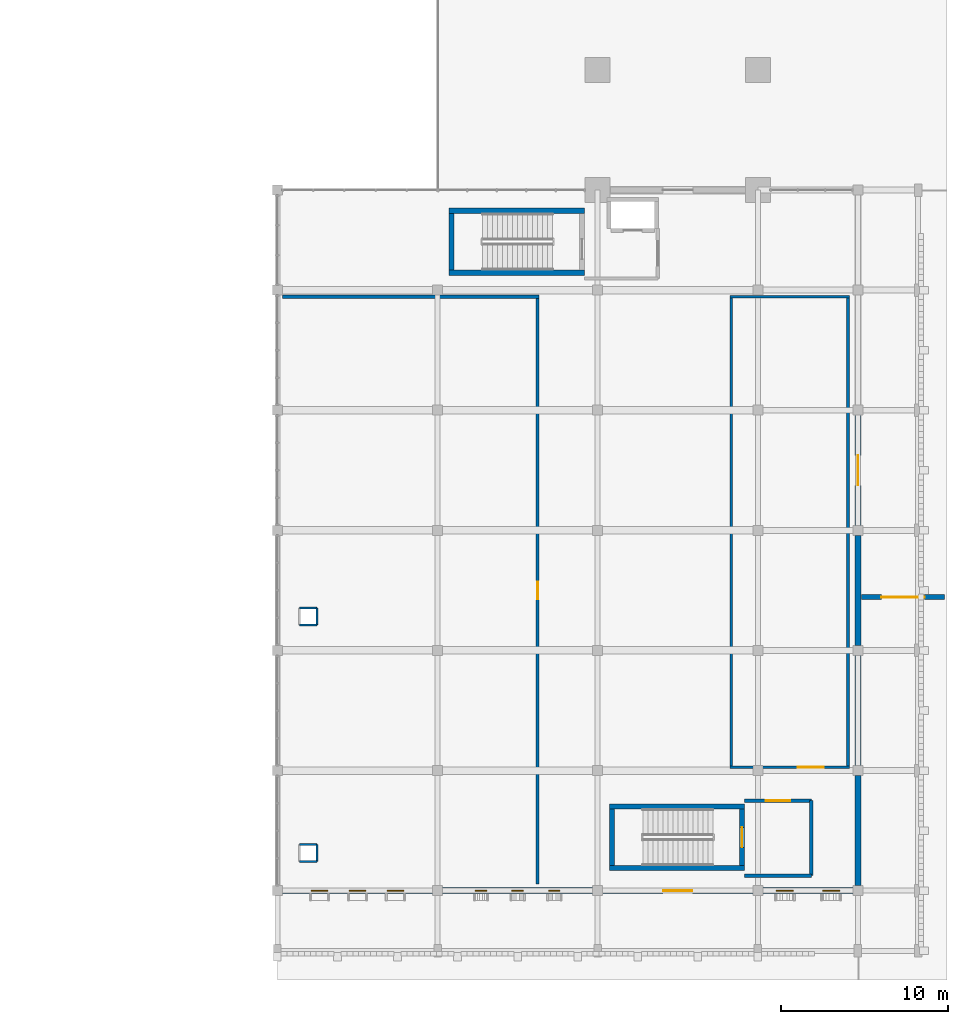
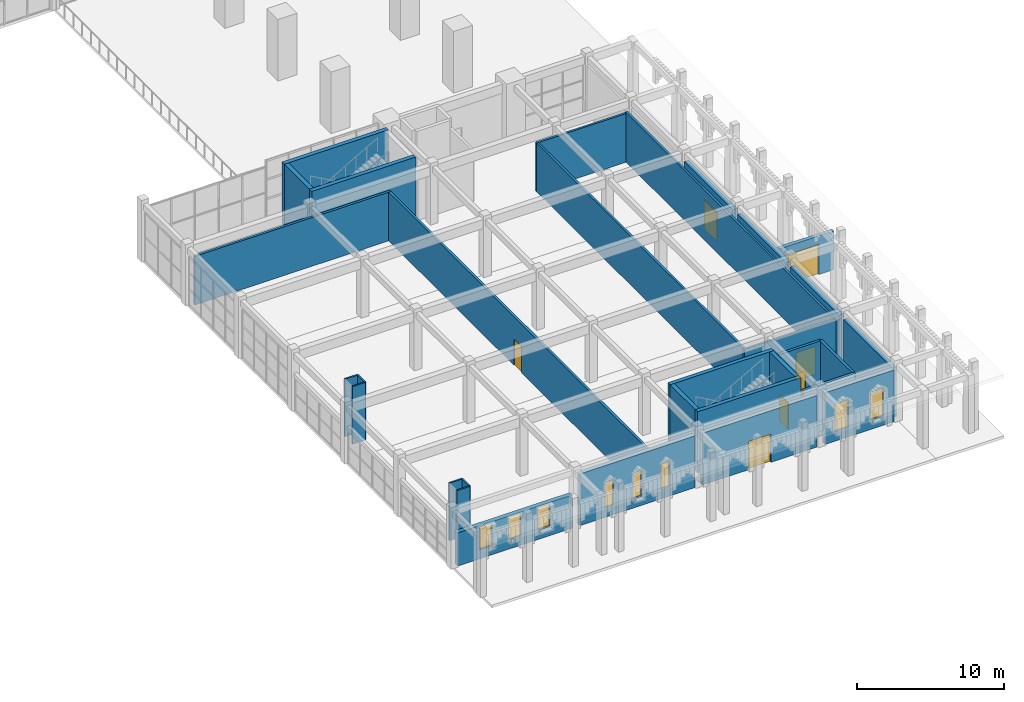
# One storey, part 42 of 72: 31 walls, 8 windows, 7 doors, 15 openings.
"""IFC4 building model written with IfcOpenShell, lengths in metres."""

from ifc_helpers import new_model, si_unit, direction, frame, frame_2d, origin, place, context, subcontext, project, spatial, rectangle, extrude, material, layer, layer_set, type_object, element, fill, save


model = new_model("IFC4")

# Units and contexts
model_context = context("Model", 3, precision=1e-05, world=origin(), true_north=direction((0.0, 1.0)))
body_context = subcontext(model_context, "Body", "Model", "MODEL_VIEW")
ifc_project = project(units=[si_unit("LENGTHUNIT", "METRE"), si_unit("AREAUNIT", "SQUARE_METRE"), si_unit("VOLUMEUNIT", "CUBIC_METRE"), si_unit("PLANEANGLEUNIT", "RADIAN"), si_unit("MASSUNIT", "GRAM", prefix="KILO")], contexts=[model_context])

# Site, building, storey
site_placement = place(None, origin())
site = spatial("IfcSite", under=ifc_project, at=site_placement, CompositionType="ELEMENT")
building_placement = place(site_placement, origin())
building = spatial("IfcBuilding", under=site, at=building_placement, Name="Nzembalo Square Collegiate School", CompositionType="ELEMENT")
storey_placement = place(building_placement, origin())
storey = spatial("IfcBuildingStorey", under=building, at=storey_placement, Name="L00", CompositionType="ELEMENT", Elevation=0.0)

# Walls
ifc_material_1 = material(Name="Concrete C40/50", Category="concrete")
ifc_layer_1 = layer(ifc_material_1, 0.320068359375, Name="Concrete C40/50")
ifc_layer_set_1 = layer_set([ifc_layer_1], Name="Concrete C40/50")
wall_type_1 = type_object("IfcWallType", Name="SW01", PredefinedType="SHEAR", material=ifc_layer_set_1)
wall_1_placement = place(storey_placement, frame((141.239990234375, 45.60009765625, 0.0), z_axis=(0.0, 0.0, 1.0), x_axis=(0.0, 1.0, 0.0)))
element("IfcWall", 1, at=wall_1_placement, inside=storey, type_object=wall_type_1, Name="Core C5 stair shear wall W L00", PredefinedType="SHEAR", context=body_context, shape_type="SweptSolid", body=[
    extrude(rectangle(XDim=3.39990234375, YDim=0.320068359375, at=frame_2d((1.699951171875, 0.0))), origin(), (0.0, 0.0, 1.0), 5.10009765625),
])
for number, where, z_axis, x_axis, name in (
    (2, (141.080078125, 45.43994140625, 0.0), (0.0, 0.0, 1.0), (1.0, 0.0, 0.0), "Core C5 stair shear wall S L00"),
    (3, (141.080078125, 49.159912109375, 0.0), (0.0, 0.0, 1.0), (1.0, 0.0, 0.0), "Core C5 stair shear wall N L00"),
):
    element("IfcWall", number, at=place(storey_placement, frame(where, z_axis=z_axis, x_axis=x_axis)), inside=storey, type_object=wall_type_1, Name=name, PredefinedType="SHEAR", context=body_context, shape_type="SweptSolid", body=[
        extrude(rectangle(XDim=8.139892578125, YDim=0.320068359375, at=frame_2d((4.06982421875, 0.0))), origin(), (0.0, 0.0, 1.0), 5.10009765625),
    ])
ifc_material_2 = material(Name="Concrete C40/50", Category="concrete")
ifc_layer_2 = layer(ifc_material_2, 0.300048828125, Name="Concrete C40/50")
ifc_layer_set_2 = layer_set([ifc_layer_2], Name="Concrete C40/50")
wall_type_2 = type_object("IfcWallType", Name="SW02", PredefinedType="SHEAR", material=ifc_layer_set_2)
wall_2_placement = place(storey_placement, frame((150.85009765625, 9.89990234375, 0.0), z_axis=(0.0, 0.0, 1.0), x_axis=(0.0, 1.0, 0.0)))
element("IfcWall", 4, at=wall_2_placement, inside=storey, type_object=wall_type_2, Name="Core C6 stair shear wall W L00", PredefinedType="SHEAR", context=body_context, shape_type="SweptSolid", body=[
    extrude(rectangle(XDim=3.400146484375, YDim=0.300048828125, at=frame_2d((1.7001953125, 0.0))), origin(), (0.0, 0.0, 1.0), 5.10009765625),
])
for number, where, z_axis, x_axis, name in (
    (5, (150.699951171875, 9.75, 0.0), (0.0, 0.0, 1.0), (1.0, 0.0, 0.0), "Core C6 stair shear wall S L00"),
    (6, (150.699951171875, 13.449951171875, 0.0), (0.0, 0.0, 1.0), (1.0, 0.0, 0.0), "Core C6 stair shear wall N L00"),
):
    element("IfcWall", number, at=place(storey_placement, frame(where, z_axis=z_axis, x_axis=x_axis)), inside=storey, type_object=wall_type_2, Name=name, PredefinedType="SHEAR", context=body_context, shape_type="SweptSolid", body=[
        extrude(rectangle(XDim=8.10009765625, YDim=0.300048828125, at=frame_2d((4.050048828125, 0.0))), origin(), (0.0, 0.0, 1.0), 5.10009765625),
    ])

# Wall, opening, door
wall_3_placement = place(storey_placement, frame((158.64990234375, 9.89990234375, 0.0), z_axis=(0.0, 0.0, 1.0), x_axis=(0.0, 1.0, 0.0)))
wall_3 = element("IfcWall", 7, at=wall_3_placement, inside=storey, type_object=wall_type_2, Name="Core C6 stair shear wall E L00", PredefinedType="SHEAR", context=body_context, shape_type="SweptSolid", body=[
    extrude(rectangle(XDim=3.400146484375, YDim=0.300048828125, at=frame_2d((1.7001953125, 0.0))), origin(), (0.0, 0.0, 1.0), 5.10009765625),
])
opening_1_placement = place(wall_3_placement, frame((1.10009765625, 0.0, 0.0)))
opening_1 = element("IfcOpeningElement", 8, at=opening_1_placement, cuts=wall_3, Name="Opening FD-058", PredefinedType="OPENING", context=body_context, shape_type="SweptSolid", body=[
    extrude(rectangle(XDim=1.199951171875, YDim=2.199951171875, at=frame_2d((0.60009765625, 1.10009765625))), frame((0.0, 0.16015625, 0.0), z_axis=(0.0, -1.0, 0.0), x_axis=(1.0, 0.0, 0.0)), (0.0, 0.0, 1.0), 0.320068359375),
])
ifc_material_3 = material(Name="Fire-rated steel acoustic door", Category="steel")
door_type_1 = type_object("IfcDoorType", Name="FD01", OperationType="NOTDEFINED", PredefinedType="DOOR", material=ifc_material_3)
door_1_placement = place(opening_1_placement, frame((1.199951171875, 0.0, 0.0), z_axis=(0.0, 0.0, 1.0), x_axis=(-1.0, 0.0, 0.0)))
door_1 = element("IfcDoor", 9, at=door_1_placement, inside=storey, type_object=door_type_1, Name="Stair fire door FD-058", OperationType="SINGLE_SWING_RIGHT", OverallHeight=2.199951171875, OverallWidth=1.199951171875, PredefinedType="DOOR", context=body_context, shape_type="SweptSolid", body=[
    extrude(rectangle(XDim=1.199951171875, YDim=2.199951171875, at=frame_2d((0.60009765625, 1.10009765625))), frame((0.0, 0.02490234375, 0.0), z_axis=(0.0, -1.0, 0.0), x_axis=(1.0, 0.0, 0.0)), (0.0, 0.0, 1.0), 0.050048828125),
])
fill(opening_1, door_1)

# Wall
ifc_material_4 = material(Name="Concrete C35/45", Category="concrete")
ifc_layer_3 = layer(ifc_material_4, 0.360107421875, Name="Concrete C35/45")
ifc_layer_set_3 = layer_set([ifc_layer_3], Name="Concrete C35/45")
wall_type_3 = type_object("IfcWallType", Name="W01", PredefinedType="SOLIDWALL", material=ifc_layer_set_3)
wall_4_placement = place(storey_placement, frame((165.60009765625, 15.902099609375, 0.0), z_axis=(0.0, 0.0, 1.0), x_axis=(0.0, 1.0, 0.0)))
element("IfcWall", 10, at=wall_4_placement, inside=storey, type_object=wall_type_3, Name="Exterior wall W01 L00", PredefinedType="SOLIDWALL", context=body_context, shape_type="SweptSolid", body=[
    extrude(rectangle(XDim=6.595947265625, YDim=0.360107421875, at=frame_2d((3.2978515625, 0.0))), origin(), (0.0, 0.0, 1.0), 4.134033203125),
])

# Wall, opening, door
wall_5_placement = place(storey_placement, frame((165.60009765625, 30.302001953125, 0.0), z_axis=(0.0, 0.0, 1.0), x_axis=(0.0, 1.0, 0.0)))
wall_5 = element("IfcWall", 11, at=wall_5_placement, inside=storey, type_object=wall_type_3, Name="Exterior wall W01 L00", PredefinedType="SOLIDWALL", context=body_context, shape_type="SweptSolid", body=[
    extrude(rectangle(XDim=6.595947265625, YDim=0.360107421875, at=frame_2d((3.2978515625, 0.0))), origin(), (0.0, 0.0, 1.0), 4.134033203125),
])
opening_2_placement = place(wall_5_placement, frame((2.39794921875, 0.0, 0.0)))
opening_2 = element("IfcOpeningElement", 12, at=opening_2_placement, cuts=wall_5, Name="Opening E13", PredefinedType="OPENING", context=body_context, shape_type="SweptSolid", body=[
    extrude(rectangle(XDim=1.800048828125, YDim=2.39990234375, at=frame_2d((0.89990234375, 1.199951171875))), frame((0.0, 0.18994140625, 0.0), z_axis=(0.0, -1.0, 0.0), x_axis=(1.0, 0.0, 0.0)), (0.0, 0.0, 1.0), 0.380126953125),
])
ifc_material_5 = material(Name="Powder-coated steel and safety glass", Category="steel")
door_type_2 = type_object("IfcDoorType", Name="ED01", OperationType="DOUBLE_DOOR_SINGLE_SWING", PredefinedType="DOOR", material=ifc_material_5)
door_2_placement = place(opening_2_placement, frame((1.800048828125, 0.0, 0.0), z_axis=(0.0, 0.0, 1.0), x_axis=(-1.0, 0.0, 0.0)))
door_2 = element("IfcDoor", 13, at=door_2_placement, inside=storey, type_object=door_type_2, Name="Exterior door E13", OperationType="DOUBLE_DOOR_SINGLE_SWING", OverallHeight=2.39990234375, OverallWidth=1.800048828125, PredefinedType="DOOR", context=body_context, shape_type="SweptSolid", body=[
    extrude(rectangle(XDim=1.800048828125, YDim=2.39990234375, at=frame_2d((0.89990234375, 1.199951171875))), frame((0.0, 0.02490234375, 0.0), z_axis=(0.0, -1.0, 0.0), x_axis=(1.0, 0.0, 0.0)), (0.0, 0.0, 1.0), 0.050048828125),
])
fill(opening_2, door_2)

# Wall, openings, windows
wall_6_placement = place(storey_placement, frame((140.701904296875, 8.39990234375, 0.0), z_axis=(0.0, 0.0, 1.0), x_axis=(1.0, 0.0, 0.0)))
wall_6 = element("IfcWall", 14, at=wall_6_placement, inside=storey, type_object=wall_type_3, Name="Exterior wall W01 L00", PredefinedType="SOLIDWALL", context=body_context, shape_type="SweptSolid", body=[
    extrude(rectangle(XDim=8.99609375, YDim=0.360107421875, at=frame_2d((4.498046875, 0.0))), origin(), (0.0, 0.0, 1.0), 4.283935546875),
])
opening_3_placement = place(wall_6_placement, frame((1.958984375, 0.0, 0.75)))
opening_3 = element("IfcOpeningElement", 15, at=opening_3_placement, cuts=wall_6, Name="Opening WN-L00-058", PredefinedType="OPENING", context=body_context, shape_type="SweptSolid", body=[
    extrude(rectangle(XDim=0.679931640625, YDim=2.159912109375, at=frame_2d((0.33984375, 1.080078125))), frame((0.0, 0.18994140625, 0.0), z_axis=(0.0, -1.0, 0.0), x_axis=(1.0, 0.0, 0.0)), (0.0, 0.0, 1.0), 0.380126953125),
])
opening_4_placement = place(wall_6_placement, frame((4.157958984375, 0.0, 0.75)))
opening_4 = element("IfcOpeningElement", 16, at=opening_4_placement, cuts=wall_6, Name="Opening WN-L00-059", PredefinedType="OPENING", context=body_context, shape_type="SweptSolid", body=[
    extrude(rectangle(XDim=0.679931640625, YDim=2.159912109375, at=frame_2d((0.33984375, 1.080078125))), frame((0.0, 0.18994140625, 0.0), z_axis=(0.0, -1.0, 0.0), x_axis=(1.0, 0.0, 0.0)), (0.0, 0.0, 1.0), 0.380126953125),
])
opening_5_placement = place(wall_6_placement, frame((6.35693359375, 0.0, 0.75)))
opening_5 = element("IfcOpeningElement", 17, at=opening_5_placement, cuts=wall_6, Name="Opening WN-L00-060", PredefinedType="OPENING", context=body_context, shape_type="SweptSolid", body=[
    extrude(rectangle(XDim=0.679931640625, YDim=2.159912109375, at=frame_2d((0.33984375, 1.080078125))), frame((0.0, 0.18994140625, 0.0), z_axis=(0.0, -1.0, 0.0), x_axis=(1.0, 0.0, 0.0)), (0.0, 0.0, 1.0), 0.380126953125),
])
ifc_material_6 = material(Name="Powder-coated aluminium and low-E double glazing", Category="aluminium")
window_type_1 = type_object("IfcWindowType", Name="WN59", PartitioningType="SINGLE_PANEL", PredefinedType="WINDOW", material=ifc_material_6)
window_1_placement = place(opening_3_placement, origin())
window_1 = element("IfcWindow", 18, at=window_1_placement, inside=storey, type_object=window_type_1, Name="Lancet window WN-L00-058", OverallHeight=2.159912109375, OverallWidth=0.679931640625, PartitioningType="SINGLE_PANEL", PredefinedType="WINDOW", context=body_context, shape_type="SweptSolid", body=[
    extrude(rectangle(XDim=0.679931640625, YDim=2.159912109375, at=frame_2d((0.33984375, 1.080078125))), frame((0.0, 0.030029296875, 0.0), z_axis=(0.0, -1.0, 0.0), x_axis=(1.0, 0.0, 0.0)), (0.0, 0.0, 1.0), 0.06005859375),
])
fill(opening_3, window_1)
window_2_placement = place(opening_4_placement, origin())
window_2 = element("IfcWindow", 19, at=window_2_placement, inside=storey, type_object=window_type_1, Name="Lancet window WN-L00-059", OverallHeight=2.159912109375, OverallWidth=0.679931640625, PartitioningType="SINGLE_PANEL", PredefinedType="WINDOW", context=body_context, shape_type="SweptSolid", body=[
    extrude(rectangle(XDim=0.679931640625, YDim=2.159912109375, at=frame_2d((0.33984375, 1.080078125))), frame((0.0, 0.030029296875, 0.0), z_axis=(0.0, -1.0, 0.0), x_axis=(1.0, 0.0, 0.0)), (0.0, 0.0, 1.0), 0.06005859375),
])
fill(opening_4, window_2)
window_3_placement = place(opening_5_placement, origin())
window_3 = element("IfcWindow", 20, at=window_3_placement, inside=storey, type_object=window_type_1, Name="Lancet window WN-L00-060", OverallHeight=2.159912109375, OverallWidth=0.679931640625, PartitioningType="SINGLE_PANEL", PredefinedType="WINDOW", context=body_context, shape_type="SweptSolid", body=[
    extrude(rectangle(XDim=0.679931640625, YDim=2.159912109375, at=frame_2d((0.33984375, 1.080078125))), frame((0.0, 0.030029296875, 0.0), z_axis=(0.0, -1.0, 0.0), x_axis=(1.0, 0.0, 0.0)), (0.0, 0.0, 1.0), 0.06005859375),
])
fill(opening_5, window_3)

wall_7_placement = place(storey_placement, frame((159.902099609375, 8.39990234375, 0.0), z_axis=(0.0, 0.0, 1.0), x_axis=(1.0, 0.0, 0.0)))
wall_7 = element("IfcWall", 21, at=wall_7_placement, inside=storey, type_object=wall_type_3, Name="Exterior wall W01 L00", PredefinedType="SOLIDWALL", context=body_context, shape_type="SweptSolid", body=[
    extrude(rectangle(XDim=5.39599609375, YDim=0.360107421875, at=frame_2d((2.697998046875, 0.0))), origin(), (0.0, 0.0, 1.0), 4.283935546875),
])
opening_6_placement = place(wall_7_placement, frame((0.803955078125, 0.0, 0.75)))
opening_6 = element("IfcOpeningElement", 22, at=opening_6_placement, cuts=wall_7, Name="Opening WN-L00-061", PredefinedType="OPENING", context=body_context, shape_type="SweptSolid", body=[
    extrude(rectangle(XDim=1.02001953125, YDim=2.340087890625, at=frame_2d((0.510009765625, 1.169921875))), frame((0.0, 0.18994140625, 0.0), z_axis=(0.0, -1.0, 0.0), x_axis=(1.0, 0.0, 0.0)), (0.0, 0.0, 1.0), 0.380126953125),
])
opening_7_placement = place(wall_7_placement, frame((3.572021484375, 0.0, 0.75)))
opening_7 = element("IfcOpeningElement", 23, at=opening_7_placement, cuts=wall_7, Name="Opening WN-L00-062", PredefinedType="OPENING", context=body_context, shape_type="SweptSolid", body=[
    extrude(rectangle(XDim=1.02001953125, YDim=2.340087890625, at=frame_2d((0.510009765625, 1.169921875))), frame((0.0, 0.18994140625, 0.0), z_axis=(0.0, -1.0, 0.0), x_axis=(1.0, 0.0, 0.0)), (0.0, 0.0, 1.0), 0.380126953125),
])
ifc_material_7 = material(Name="Powder-coated aluminium and low-E double glazing", Category="aluminium")
window_type_2 = type_object("IfcWindowType", Name="WN62", PartitioningType="SINGLE_PANEL", PredefinedType="WINDOW", material=ifc_material_7)
window_4_placement = place(opening_6_placement, origin())
window_4 = element("IfcWindow", 24, at=window_4_placement, inside=storey, type_object=window_type_2, Name="Lancet window WN-L00-061", OverallHeight=2.340087890625, OverallWidth=1.02001953125, PartitioningType="SINGLE_PANEL", PredefinedType="WINDOW", context=body_context, shape_type="SweptSolid", body=[
    extrude(rectangle(XDim=1.02001953125, YDim=2.340087890625, at=frame_2d((0.510009765625, 1.169921875))), frame((0.0, 0.030029296875, 0.0), z_axis=(0.0, -1.0, 0.0), x_axis=(1.0, 0.0, 0.0)), (0.0, 0.0, 1.0), 0.06005859375),
])
fill(opening_6, window_4)
window_5_placement = place(opening_7_placement, origin())
window_5 = element("IfcWindow", 25, at=window_5_placement, inside=storey, type_object=window_type_2, Name="Lancet window WN-L00-062", OverallHeight=2.340087890625, OverallWidth=1.02001953125, PartitioningType="SINGLE_PANEL", PredefinedType="WINDOW", context=body_context, shape_type="SweptSolid", body=[
    extrude(rectangle(XDim=1.02001953125, YDim=2.340087890625, at=frame_2d((0.510009765625, 1.169921875))), frame((0.0, 0.030029296875, 0.0), z_axis=(0.0, -1.0, 0.0), x_axis=(1.0, 0.0, 0.0)), (0.0, 0.0, 1.0), 0.06005859375),
])
fill(opening_7, window_5)

# Walls
ifc_material_8 = material(Name="Concrete C35/45", Category="concrete")
ifc_layer_4 = layer(ifc_material_8, 0.340087890625, Name="Concrete C35/45")
ifc_layer_set_4 = layer_set([ifc_layer_4], Name="Concrete C35/45")
wall_type_4 = type_object("IfcWallType", Name="W02", PredefinedType="SOLIDWALL", material=ifc_layer_set_4)
wall_8_placement = place(storey_placement, frame((165.60009765625, 8.701904296875, 0.0), z_axis=(0.0, 0.0, 1.0), x_axis=(0.0, 1.0, 0.0)))
element("IfcWall", 26, at=wall_8_placement, inside=storey, type_object=wall_type_4, Name="Exterior wall W02 L00", PredefinedType="SOLIDWALL", context=body_context, shape_type="SweptSolid", body=[
    extrude(rectangle(XDim=6.59619140625, YDim=0.340087890625, at=frame_2d((3.298095703125, 0.0))), origin(), (0.0, 0.0, 1.0), 4.134033203125),
])
wall_9_placement = place(storey_placement, frame((165.60009765625, 23.10205078125, 0.0), z_axis=(0.0, 0.0, 1.0), x_axis=(0.0, 1.0, 0.0)))
element("IfcWall", 27, at=wall_9_placement, inside=storey, type_object=wall_type_4, Name="Exterior wall W02 L00", PredefinedType="SOLIDWALL", context=body_context, shape_type="SweptSolid", body=[
    extrude(rectangle(XDim=6.595947265625, YDim=0.340087890625, at=frame_2d((3.2978515625, 0.0))), origin(), (0.0, 0.0, 1.0), 4.134033203125),
])

# Wall, openings, windows
wall_10_placement = place(storey_placement, frame((131.10205078125, 8.39990234375, 0.0), z_axis=(0.0, 0.0, 1.0), x_axis=(1.0, 0.0, 0.0)))
wall_10 = element("IfcWall", 28, at=wall_10_placement, inside=storey, type_object=wall_type_4, Name="Exterior wall W02 L00", PredefinedType="SOLIDWALL", context=body_context, shape_type="SweptSolid", body=[
    extrude(rectangle(XDim=8.995849609375, YDim=0.340087890625, at=frame_2d((4.498046875, 0.0))), origin(), (0.0, 0.0, 1.0), 2.743896484375),
])
opening_8_placement = place(wall_10_placement, frame((1.73388671875, 0.0, 0.75)))
opening_8 = element("IfcOpeningElement", 29, at=opening_8_placement, cuts=wall_10, Name="Opening WN-L00-041", PredefinedType="OPENING", context=body_context, shape_type="SweptSolid", body=[
    extrude(rectangle(XDim=0.97998046875, YDim=1.8798828125, at=frame_2d((0.489990234375, 0.93994140625))), frame((0.0, 0.18017578125, 0.0), z_axis=(0.0, -1.0, 0.0), x_axis=(1.0, 0.0, 0.0)), (0.0, 0.0, 1.0), 0.360107421875),
])
opening_9_placement = place(wall_10_placement, frame((4.008056640625, 0.0, 0.75)))
opening_9 = element("IfcOpeningElement", 30, at=opening_9_placement, cuts=wall_10, Name="Opening WN-L00-042", PredefinedType="OPENING", context=body_context, shape_type="SweptSolid", body=[
    extrude(rectangle(XDim=0.97998046875, YDim=1.8798828125, at=frame_2d((0.489990234375, 0.93994140625))), frame((0.0, 0.18017578125, 0.0), z_axis=(0.0, -1.0, 0.0), x_axis=(1.0, 0.0, 0.0)), (0.0, 0.0, 1.0), 0.360107421875),
])
opening_10_placement = place(wall_10_placement, frame((6.281982421875, 0.0, 0.75)))
opening_10 = element("IfcOpeningElement", 31, at=opening_10_placement, cuts=wall_10, Name="Opening WN-L00-043", PredefinedType="OPENING", context=body_context, shape_type="SweptSolid", body=[
    extrude(rectangle(XDim=0.97998046875, YDim=1.8798828125, at=frame_2d((0.489990234375, 0.93994140625))), frame((0.0, 0.18017578125, 0.0), z_axis=(0.0, -1.0, 0.0), x_axis=(1.0, 0.0, 0.0)), (0.0, 0.0, 1.0), 0.360107421875),
])
ifc_material_9 = material(Name="Powder-coated aluminium and low-E double glazing", Category="aluminium")
window_type_3 = type_object("IfcWindowType", Name="WN42", PartitioningType="SINGLE_PANEL", PredefinedType="WINDOW", material=ifc_material_9)
window_6_placement = place(opening_8_placement, origin())
window_6 = element("IfcWindow", 32, at=window_6_placement, inside=storey, type_object=window_type_3, Name="Lancet window WN-L00-041", OverallHeight=1.8798828125, OverallWidth=0.97998046875, PartitioningType="SINGLE_PANEL", PredefinedType="WINDOW", context=body_context, shape_type="SweptSolid", body=[
    extrude(rectangle(XDim=0.97998046875, YDim=1.8798828125, at=frame_2d((0.489990234375, 0.93994140625))), frame((0.0, 0.030029296875, 0.0), z_axis=(0.0, -1.0, 0.0), x_axis=(1.0, 0.0, 0.0)), (0.0, 0.0, 1.0), 0.06005859375),
])
fill(opening_8, window_6)
window_7_placement = place(opening_9_placement, origin())
window_7 = element("IfcWindow", 33, at=window_7_placement, inside=storey, type_object=window_type_3, Name="Lancet window WN-L00-042", OverallHeight=1.8798828125, OverallWidth=0.97998046875, PartitioningType="SINGLE_PANEL", PredefinedType="WINDOW", context=body_context, shape_type="SweptSolid", body=[
    extrude(rectangle(XDim=0.97998046875, YDim=1.8798828125, at=frame_2d((0.489990234375, 0.93994140625))), frame((0.0, 0.030029296875, 0.0), z_axis=(0.0, -1.0, 0.0), x_axis=(1.0, 0.0, 0.0)), (0.0, 0.0, 1.0), 0.06005859375),
])
fill(opening_9, window_7)
window_8_placement = place(opening_10_placement, origin())
window_8 = element("IfcWindow", 34, at=window_8_placement, inside=storey, type_object=window_type_3, Name="Lancet window WN-L00-043", OverallHeight=1.8798828125, OverallWidth=0.97998046875, PartitioningType="SINGLE_PANEL", PredefinedType="WINDOW", context=body_context, shape_type="SweptSolid", body=[
    extrude(rectangle(XDim=0.97998046875, YDim=1.8798828125, at=frame_2d((0.489990234375, 0.93994140625))), frame((0.0, 0.030029296875, 0.0), z_axis=(0.0, -1.0, 0.0), x_axis=(1.0, 0.0, 0.0)), (0.0, 0.0, 1.0), 0.06005859375),
])
fill(opening_10, window_8)

# Wall, opening, door
wall_11_placement = place(storey_placement, frame((150.302001953125, 8.39990234375, 0.0), z_axis=(0.0, 0.0, 1.0), x_axis=(1.0, 0.0, 0.0)))
wall_11 = element("IfcWall", 35, at=wall_11_placement, inside=storey, type_object=wall_type_4, Name="Exterior wall W02 L00", PredefinedType="SOLIDWALL", context=body_context, shape_type="SweptSolid", body=[
    extrude(rectangle(XDim=8.99609375, YDim=0.340087890625, at=frame_2d((4.498046875, 0.0))), origin(), (0.0, 0.0, 1.0), 4.283935546875),
])
opening_11_placement = place(wall_11_placement, frame((3.623046875, 0.0, 0.0)))
opening_11 = element("IfcOpeningElement", 36, at=opening_11_placement, cuts=wall_11, Name="Opening E14", PredefinedType="OPENING", context=body_context, shape_type="SweptSolid", body=[
    extrude(rectangle(XDim=1.75, YDim=2.35009765625, at=frame_2d((0.875, 1.175048828125))), frame((0.0, 0.18017578125, 0.0), z_axis=(0.0, -1.0, 0.0), x_axis=(1.0, 0.0, 0.0)), (0.0, 0.0, 1.0), 0.360107421875),
])
ifc_material_10 = material(Name="Powder-coated steel and safety glass", Category="steel")
door_type_3 = type_object("IfcDoorType", Name="ED04", OperationType="DOUBLE_DOOR_SINGLE_SWING", PredefinedType="DOOR", material=ifc_material_10)
door_3_placement = place(opening_11_placement, frame((1.75, 0.0, 0.0), z_axis=(0.0, 0.0, 1.0), x_axis=(-1.0, 0.0, 0.0)))
door_3 = element("IfcDoor", 37, at=door_3_placement, inside=storey, type_object=door_type_3, Name="Exterior door E14", OperationType="DOUBLE_DOOR_SINGLE_SWING", OverallHeight=2.35009765625, OverallWidth=1.75, PredefinedType="DOOR", context=body_context, shape_type="SweptSolid", body=[
    extrude(rectangle(XDim=1.75, YDim=2.35009765625, at=frame_2d((0.875, 1.175048828125))), frame((0.0, 0.02490234375, 0.0), z_axis=(0.0, -1.0, 0.0), x_axis=(1.0, 0.0, 0.0)), (0.0, 0.0, 1.0), 0.050048828125),
])
fill(opening_11, door_3)

ifc_material_11 = material(Name="Concrete C35/45", Category="concrete")
ifc_layer_5 = layer(ifc_material_11, 0.300048828125, Name="Concrete C35/45")
ifc_layer_set_5 = layer_set([ifc_layer_5], Name="Concrete C35/45")
wall_type_5 = type_object("IfcWallType", Name="W04", PredefinedType="SOLIDWALL", material=ifc_layer_set_5)
wall_12_placement = place(storey_placement, frame((165.800048828125, 26.0, 0.0), z_axis=(0.0, 0.0, 1.0), x_axis=(1.0, 0.0, 0.0)))
wall_12 = element("IfcWall", 38, at=wall_12_placement, inside=storey, type_object=wall_type_5, Name="Portal screen wall VG-06", PredefinedType="SOLIDWALL", context=body_context, shape_type="SweptSolid", body=[
    extrude(rectangle(XDim=5.0, YDim=0.300048828125, at=frame_2d((2.5, 0.0))), origin(), (0.0, 0.0, 1.0), 3.199951171875),
])
opening_12_placement = place(wall_12_placement, frame((1.199951171875, 0.0, 0.0)))
opening_12 = element("IfcOpeningElement", 39, at=opening_12_placement, cuts=wall_12, Name="Opening VG-06", PredefinedType="OPENING", context=body_context, shape_type="SweptSolid", body=[
    extrude(rectangle(XDim=2.60009765625, YDim=2.5, at=frame_2d((1.300048828125, 1.25))), frame((0.0, 0.16015625, 0.0), z_axis=(0.0, -1.0, 0.0), x_axis=(1.0, 0.0, 0.0)), (0.0, 0.0, 1.0), 0.320068359375),
])
ifc_material_12 = material(Name="Powder-coated steel and safety glass", Category="steel")
door_type_4 = type_object("IfcDoorType", Name="VG02", OperationType="DOUBLE_DOOR_SINGLE_SWING", PredefinedType="GATE", material=ifc_material_12)
door_4_placement = place(opening_12_placement, origin())
door_4 = element("IfcDoor", 40, at=door_4_placement, inside=storey, type_object=door_type_4, Name="Service gate VG-06", OperationType="DOUBLE_DOOR_SINGLE_SWING", OverallHeight=2.5, OverallWidth=2.60009765625, PredefinedType="GATE", context=body_context, shape_type="SweptSolid", body=[
    extrude(rectangle(XDim=2.60009765625, YDim=2.5, at=frame_2d((1.300048828125, 1.25))), frame((0.0, 0.02490234375, 0.0), z_axis=(0.0, -1.0, 0.0), x_axis=(1.0, 0.0, 0.0)), (0.0, 0.0, 1.0), 0.050048828125),
])
fill(opening_12, door_4)

# Walls
ifc_material_13 = material(Name="Concrete blockwork C25/30", Category="masonry")
ifc_layer_6 = layer(ifc_material_13, 0.199951171875, Name="Concrete blockwork C25/30")
ifc_layer_set_6 = layer_set([ifc_layer_6], Name="Concrete blockwork C25/30")
wall_type_6 = type_object("IfcWallType", Name="W11", PredefinedType="PARTITIONING", material=ifc_layer_set_6)
wall_13_placement = place(storey_placement, frame((162.800048828125, 9.300048828125, 0.0), z_axis=(0.0, 0.0, 1.0), x_axis=(0.0, 1.0, 0.0)))
element("IfcWall", 41, at=wall_13_placement, inside=storey, type_object=wall_type_6, Name="Core C6 EI 60 lobby wall E L00", PredefinedType="PARTITIONING", context=body_context, shape_type="SweptSolid", body=[
    extrude(rectangle(XDim=4.5, YDim=0.199951171875, at=frame_2d((2.25, 0.0))), origin(), (0.0, 0.0, 1.0), 4.283935546875),
])
wall_14_placement = place(storey_placement, frame((158.800048828125, 9.300048828125, 0.0), z_axis=(0.0, 0.0, 1.0), x_axis=(1.0, 0.0, 0.0)))
element("IfcWall", 42, at=wall_14_placement, inside=storey, type_object=wall_type_6, Name="Core C6 EI 60 lobby wall S L00", PredefinedType="PARTITIONING", context=body_context, shape_type="SweptSolid", body=[
    extrude(rectangle(XDim=4.0, YDim=0.199951171875, at=frame_2d((2.0, 0.0))), origin(), (0.0, 0.0, 1.0), 4.283935546875),
])

# Wall, opening, door
wall_15_placement = place(storey_placement, frame((158.800048828125, 13.800048828125, 0.0), z_axis=(0.0, 0.0, 1.0), x_axis=(1.0, 0.0, 0.0)))
wall_15 = element("IfcWall", 43, at=wall_15_placement, inside=storey, type_object=wall_type_6, Name="Core C6 EI 60 lobby wall N L00", PredefinedType="PARTITIONING", context=body_context, shape_type="SweptSolid", body=[
    extrude(rectangle(XDim=4.0, YDim=0.199951171875, at=frame_2d((2.0, 0.0))), origin(), (0.0, 0.0, 1.0), 4.283935546875),
])
opening_13_placement = place(wall_15_placement, frame((1.27490234375, 0.0, 0.0)))
opening_13 = element("IfcOpeningElement", 44, at=opening_13_placement, cuts=wall_15, Name="Opening FD-059", PredefinedType="OPENING", context=body_context, shape_type="SweptSolid", body=[
    extrude(rectangle(XDim=1.449951171875, YDim=2.199951171875, at=frame_2d((0.72509765625, 1.10009765625))), frame((0.0, 0.10986328125, 0.0), z_axis=(0.0, -1.0, 0.0), x_axis=(1.0, 0.0, 0.0)), (0.0, 0.0, 1.0), 0.219970703125),
])
ifc_material_14 = material(Name="Fire-rated double lobby door")
door_type_5 = type_object("IfcDoorType", Name="FD02", OperationType="DOUBLE_DOOR_SINGLE_SWING", PredefinedType="DOOR", material=ifc_material_14)
door_5_placement = place(opening_13_placement, origin())
door_5 = element("IfcDoor", 45, at=door_5_placement, inside=storey, type_object=door_type_5, Name="Protected lobby fire door FD-059", OperationType="DOUBLE_DOOR_SINGLE_SWING", OverallHeight=2.199951171875, OverallWidth=1.449951171875, PredefinedType="DOOR", context=body_context, shape_type="SweptSolid", body=[
    extrude(rectangle(XDim=1.449951171875, YDim=2.199951171875, at=frame_2d((0.72509765625, 1.10009765625))), frame((0.0, 0.02490234375, 0.0), z_axis=(0.0, -1.0, 0.0), x_axis=(1.0, 0.0, 0.0)), (0.0, 0.0, 1.0), 0.050048828125),
])
fill(opening_13, door_5)

ifc_material_15 = material(Name="Moisture-resistant acoustic stud")
ifc_layer_7 = layer(ifc_material_15, 0.1650390625, Name="Moisture-resistant acoustic stud")
ifc_layer_set_7 = layer_set([ifc_layer_7], Name="Moisture-resistant acoustic stud")
wall_type_7 = type_object("IfcWallType", Name="W15", PredefinedType="PARTITIONING", material=ifc_layer_set_7)
wall_16_placement = place(storey_placement, frame((157.91748046875, 15.800048828125, 0.0), z_axis=(0.0, 0.0, 1.0), x_axis=(1.0, 0.0, 0.0)))
wall_16 = element("IfcWall", 46, at=wall_16_placement, inside=storey, type_object=wall_type_7, Name="Interior partition W15 L00-056-S", PredefinedType="PARTITIONING", context=body_context, shape_type="SweptSolid", body=[
    extrude(rectangle(XDim=7.1650390625, YDim=0.1650390625, at=frame_2d((3.58251953125, 0.0))), origin(), (0.0, 0.0, 1.0), 4.033935546875),
])
opening_14_placement = place(wall_16_placement, frame((4.0625, 0.0, 0.0)))
opening_14 = element("IfcOpeningElement", 47, at=opening_14_placement, cuts=wall_16, Name="Opening D-L00-034", PredefinedType="OPENING", context=body_context, shape_type="SweptSolid", body=[
    extrude(rectangle(XDim=1.56005859375, YDim=2.300048828125, at=frame_2d((0.780029296875, 1.14990234375))), frame((0.0, 0.092529296875, 0.0), z_axis=(0.0, -1.0, 0.0), x_axis=(1.0, 0.0, 0.0)), (0.0, 0.0, 1.0), 0.18505859375),
])
ifc_material_16 = material(Name="Glazed timber library entrance door", Category="wood")
door_type_6 = type_object("IfcDoorType", Name="D06", OperationType="DOUBLE_DOOR_SINGLE_SWING", PredefinedType="DOOR", material=ifc_material_16)
door_6_placement = place(opening_14_placement, origin())
door_6 = element("IfcDoor", 48, at=door_6_placement, inside=storey, type_object=door_type_6, Name="Interior door D-L00-034 (Junior Library Periodicals Commons)", OperationType="DOUBLE_DOOR_SINGLE_SWING", OverallHeight=2.300048828125, OverallWidth=1.56005859375, PredefinedType="DOOR", context=body_context, shape_type="SweptSolid", body=[
    extrude(rectangle(XDim=1.56005859375, YDim=2.300048828125, at=frame_2d((0.780029296875, 1.14990234375))), frame((0.0, 0.02490234375, 0.0), z_axis=(0.0, -1.0, 0.0), x_axis=(1.0, 0.0, 0.0)), (0.0, 0.0, 1.0), 0.050048828125),
])
fill(opening_14, door_6)

# Walls
wall_17_placement = place(storey_placement, frame((157.91748046875, 44.0, 0.0), z_axis=(0.0, 0.0, 1.0), x_axis=(1.0, 0.0, 0.0)))
element("IfcWall", 49, at=wall_17_placement, inside=storey, type_object=wall_type_7, Name="Interior partition W15 L00-056-N", PredefinedType="PARTITIONING", context=body_context, shape_type="SweptSolid", body=[
    extrude(rectangle(XDim=7.1650390625, YDim=0.1650390625, at=frame_2d((3.58251953125, 0.0))), origin(), (0.0, 0.0, 1.0), 4.033935546875),
])
wall_18_placement = place(storey_placement, frame((158.0, 15.800048828125, 0.0), z_axis=(0.0, 0.0, 1.0), x_axis=(0.0, 1.0, 0.0)))
element("IfcWall", 50, at=wall_18_placement, inside=storey, type_object=wall_type_7, Name="Interior partition W15 L00-056-W", PredefinedType="PARTITIONING", context=body_context, shape_type="SweptSolid", body=[
    extrude(rectangle(XDim=28.199951171875, YDim=0.1650390625, at=frame_2d((14.10009765625, 0.0))), origin(), (0.0, 0.0, 1.0), 4.033935546875),
])
wall_19_placement = place(storey_placement, frame((165.0, 15.800048828125, 0.0), z_axis=(0.0, 0.0, 1.0), x_axis=(0.0, 1.0, 0.0)))
element("IfcWall", 51, at=wall_19_placement, inside=storey, type_object=wall_type_7, Name="Interior partition W15 L00-056-E", PredefinedType="PARTITIONING", context=body_context, shape_type="SweptSolid", body=[
    extrude(rectangle(XDim=28.199951171875, YDim=0.1650390625, at=frame_2d((14.10009765625, 0.0))), origin(), (0.0, 0.0, 1.0), 4.134033203125),
])
ifc_material_17 = material(Name="High-mass acoustic blockwork", Category="masonry")
ifc_layer_8 = layer(ifc_material_17, 0.18505859375, Name="High-mass acoustic blockwork")
ifc_layer_set_8 = layer_set([ifc_layer_8], Name="High-mass acoustic blockwork")
wall_type_8 = type_object("IfcWallType", Name="W22", PredefinedType="PARTITIONING", material=ifc_layer_set_8)
wall_20_placement = place(storey_placement, frame((131.107421875, 44.0, 0.0), z_axis=(0.0, 0.0, 1.0), x_axis=(1.0, 0.0, 0.0)))
element("IfcWall", 52, at=wall_20_placement, inside=storey, type_object=wall_type_8, Name="Interior partition W22 L00-055-N", PredefinedType="PARTITIONING", context=body_context, shape_type="SweptSolid", body=[
    extrude(rectangle(XDim=15.385009765625, YDim=0.18505859375, at=frame_2d((7.6923828125, 0.0))), origin(), (0.0, 0.0, 1.0), 4.033935546875),
])

# Wall, opening, door
wall_21_placement = place(storey_placement, frame((146.39990234375, 8.800048828125, 0.0), z_axis=(0.0, 0.0, 1.0), x_axis=(0.0, 1.0, 0.0)))
wall_21 = element("IfcWall", 53, at=wall_21_placement, inside=storey, type_object=wall_type_8, Name="Interior partition W22 L00-055-E", PredefinedType="PARTITIONING", context=body_context, shape_type="SweptSolid", body=[
    extrude(rectangle(XDim=35.199951171875, YDim=0.18505859375, at=frame_2d((17.60009765625, 0.0))), origin(), (0.0, 0.0, 1.0), 4.033935546875),
])
opening_15_placement = place(wall_21_placement, frame((17.074951171875, 0.0, 0.0)))
opening_15 = element("IfcOpeningElement", 54, at=opening_15_placement, cuts=wall_21, Name="Opening D-L00-033", PredefinedType="OPENING", context=body_context, shape_type="SweptSolid", body=[
    extrude(rectangle(XDim=1.050048828125, YDim=2.14990234375, at=frame_2d((0.52490234375, 1.074951171875))), frame((0.0, 0.1025390625, 0.0), z_axis=(0.0, -1.0, 0.0), x_axis=(1.0, 0.0, 0.0)), (0.0, 0.0, 1.0), 0.205078125),
])
ifc_material_18 = material(Name="Fire-rated steel store door", Category="steel")
door_type_7 = type_object("IfcDoorType", Name="FD03", OperationType="NOTDEFINED", PredefinedType="DOOR", material=ifc_material_18)
door_7_placement = place(opening_15_placement, origin())
door_7 = element("IfcDoor", 55, at=door_7_placement, inside=storey, type_object=door_type_7, Name="Interior door D-L00-033 (Main Collegiate Library Reading Hall)", OperationType="SINGLE_SWING_RIGHT", OverallHeight=2.14990234375, OverallWidth=1.050048828125, PredefinedType="DOOR", context=body_context, shape_type="SweptSolid", body=[
    extrude(rectangle(XDim=1.050048828125, YDim=2.14990234375, at=frame_2d((0.52490234375, 1.074951171875))), frame((0.0, 0.02490234375, 0.0), z_axis=(0.0, -1.0, 0.0), x_axis=(1.0, 0.0, 0.0)), (0.0, 0.0, 1.0), 0.050048828125),
])
fill(opening_15, door_7)

# Walls
ifc_material_19 = material(Name="Fire-rated shaftwall stud")
ifc_layer_9 = layer(ifc_material_19, 0.1201171875, Name="Fire-rated shaftwall stud")
ifc_layer_set_9 = layer_set([ifc_layer_9], Name="Fire-rated shaftwall stud")
wall_type_9 = type_object("IfcWallType", Name="W23", PredefinedType="PARTITIONING", material=ifc_layer_set_9)
for number, where, z_axis, x_axis, name in (
    (56, (132.139892578125, 10.139892578125, 0.0), (0.0, 0.0, 1.0), (1.0, 0.0, 0.0), "Service riser shaftwall W23-008-1"),
    (57, (133.159912109375, 10.139892578125, 0.0), (0.0, 0.0, 1.0), (0.0, 1.0, 0.0), "Service riser shaftwall W23-008-2"),
    (58, (133.159912109375, 11.159912109375, 0.0), (0.0, 0.0, 1.0), (-1.0, 0.0, 0.0), "Service riser shaftwall W23-008-3"),
    (59, (132.139892578125, 24.340087890625, 0.0), (0.0, 0.0, 1.0), (1.0, 0.0, 0.0), "Service riser shaftwall W23-009-1"),
    (60, (133.159912109375, 24.340087890625, 0.0), (0.0, 0.0, 1.0), (0.0, 1.0, 0.0), "Service riser shaftwall W23-009-2"),
    (61, (133.159912109375, 25.360107421875, 0.0), (0.0, 0.0, 1.0), (-1.0, 0.0, 0.0), "Service riser shaftwall W23-009-3"),
):
    element("IfcWall", number, at=place(storey_placement, frame(where, z_axis=z_axis, x_axis=x_axis)), inside=storey, type_object=wall_type_9, Name=name, PredefinedType="PARTITIONING", context=body_context, shape_type="SweptSolid", body=[
        extrude(rectangle(XDim=1.02001953125, YDim=0.1201171875, at=frame_2d((0.510009765625, 0.0))), origin(), (0.0, 0.0, 1.0), 4.77392578125),
    ])

save(model, "model.ifc")
